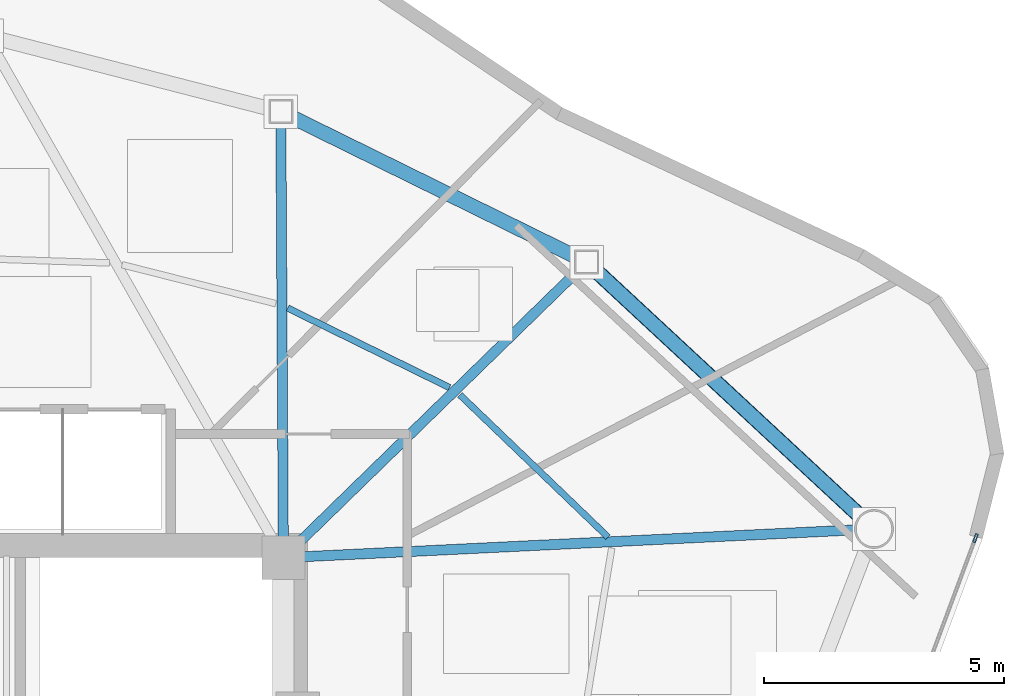
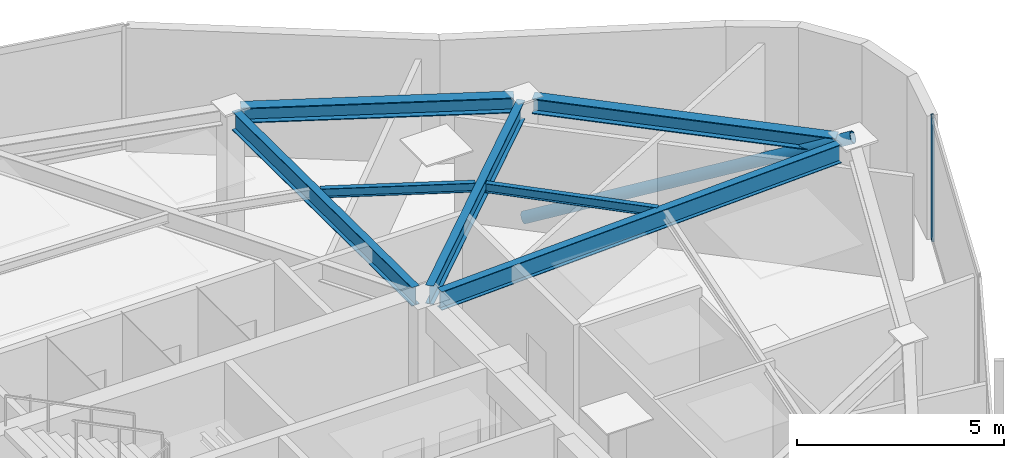
# One storey, part 6 of 13: 7 beams, 2 members, 1 element without a shape of its own.
"""IFC4 building model written with IfcOpenShell, lengths in metres."""

from ifc_helpers import new_model, si_unit, direction, frame, origin, origin_2d, place, context, subcontext, project, spatial, hollow_rectangle, hollow_circle, i_section, extrude, source, transform, mapped, material, layer, layer_set, material_profile, profile_set, type_object, type_shapes, element, aggregate, save


model = new_model("IFC4")

# Units and contexts
model_context = context("Model", 3, precision=1e-05, world=origin(), true_north=direction((0.0, 1.0)))
body_context = subcontext(model_context, "Body", "Model", "MODEL_VIEW")
ifc_project = project(units=[si_unit("LENGTHUNIT", "METRE"), si_unit("AREAUNIT", "SQUARE_METRE"), si_unit("VOLUMEUNIT", "CUBIC_METRE"), si_unit("PLANEANGLEUNIT", "RADIAN"), si_unit("MASSUNIT", "GRAM", prefix="KILO")], contexts=[model_context])

# Site, building, storey
site_placement = place(None, origin())
site = spatial("IfcSite", under=ifc_project, at=site_placement, CompositionType="ELEMENT")
building_placement = place(site_placement, origin())
building = spatial("IfcBuilding", under=site, at=building_placement, Name="Tavelor Broadcast Tower", CompositionType="ELEMENT")
storey_placement = place(building_placement, frame((0.0, 0.0, 261.64990234375)))
storey = spatial("IfcBuildingStorey", under=building, at=storey_placement, Name="L62", CompositionType="ELEMENT", Elevation=261.64990234375)

# Beams
ifc_material_1 = material(Name="Steel S355", Category="steel")
ifc_material_profile_1 = material_profile(ifc_material_1, i_section(OverallWidth=0.135009765625, OverallDepth=0.27001953125, WebThickness=0.006591796875, FlangeThickness=0.01025390625, at=origin_2d()), Name="IPE 270")
ifc_profile_set_1 = profile_set([ifc_material_profile_1], Name="Steel S355")
beam_type_1 = type_object("IfcBeamType", Name="Composite Floor Joist T6 IPE 270", PredefinedType="JOIST", material=ifc_profile_set_1)
beam_1_placement = place(storey_placement, frame((63.373779296875, 51.627197265625, 3.51513671875), z_axis=(-0.72136115861, 0.692559079682, 0.0), x_axis=(-0.692559079682, -0.72136115861, 0.0)))
element("IfcBeam", 1, at=beam_1_placement, inside=storey, type_object=beam_type_1, Name="L62 Secondary Composite Floor Joist 13", PredefinedType="JOIST", context=body_context, shape_type="SweptSolid", body=[
    extrude(i_section(OverallWidth=0.135009765625, OverallDepth=0.27001953125, WebThickness=0.006591796875, FlangeThickness=0.01025390625, at=origin_2d()), origin(), (0.0, 0.0, 1.0), 4.2890625),
])
beam_2_placement = place(storey_placement, frame((60.062744140625, 54.749755859375, 3.51513671875), z_axis=(-0.897549365046, 0.440913979485, 0.0), x_axis=(-0.440913979485, -0.897549365046, 0.0)))
element("IfcBeam", 2, at=beam_2_placement, inside=storey, type_object=beam_type_1, Name="L62 Secondary Composite Floor Joist 14", PredefinedType="JOIST", context=body_context, shape_type="SweptSolid", body=[
    extrude(i_section(OverallWidth=0.135009765625, OverallDepth=0.27001953125, WebThickness=0.006591796875, FlangeThickness=0.01025390625, at=origin_2d()), origin(), (0.0, 0.0, 1.0), 3.758056640625),
])
ifc_material_profile_2 = material_profile(ifc_material_1, i_section(OverallWidth=0.300048828125, OverallDepth=0.449951171875, WebThickness=0.013916015625, FlangeThickness=0.02587890625, at=origin_2d()), Name="HEB 450")
ifc_profile_set_2 = profile_set([ifc_material_profile_2], Name="Steel S355")
beam_type_2 = type_object("IfcBeamType", Name="Perimeter Spandrel Beam T6 HEB 450", PredefinedType="SPANDREL", material=ifc_profile_set_2)
beam_3_placement = place(storey_placement, frame((68.6337890625, 52.064697265625, 3.425048828125), z_axis=(-0.732775058348, 0.680470950051, 0.0), x_axis=(-0.680470950051, -0.732775058348, 0.0)))
element("IfcBeam", 3, at=beam_3_placement, inside=storey, type_object=beam_type_2, Name="L62 Framed-Tube Ring Spandrel 13", PredefinedType="SPANDREL", context=body_context, shape_type="SweptSolid", body=[
    extrude(i_section(OverallWidth=0.300048828125, OverallDepth=0.449951171875, WebThickness=0.013916015625, FlangeThickness=0.02587890625, at=origin_2d()), origin(), (0.0, 0.0, 1.0), 7.547607421875),
])
beam_4_placement = place(storey_placement, frame((62.7119140625, 57.469970703125, 3.425048828125), z_axis=(-0.897258179133, 0.441506240022, 0.0), x_axis=(-0.441506240022, -0.897258179134, 0.0)))
element("IfcBeam", 4, at=beam_4_placement, inside=storey, type_object=beam_type_2, Name="L62 Framed-Tube Ring Spandrel 14", PredefinedType="SPANDREL", context=body_context, shape_type="SweptSolid", body=[
    extrude(i_section(OverallWidth=0.300048828125, OverallDepth=0.449951171875, WebThickness=0.013916015625, FlangeThickness=0.02587890625, at=origin_2d()), origin(), (0.0, 0.0, 1.0), 6.63232421875),
])

# Member
ifc_material_profile_3 = material_profile(ifc_material_1, hollow_circle(Radius=0.161865234375, WallThickness=0.01611328125, at=origin_2d()), Name="CHS 323.9x16")
ifc_profile_set_3 = profile_set([ifc_material_profile_3], Name="Steel S355")
member_type_1 = type_object("IfcMemberType", Name="Perimeter Tube Brace T6 CHS 323.9x16", PredefinedType="BRACE", material=ifc_profile_set_3)
member_1_placement = place(storey_placement, frame((62.92724609375, 57.364013671875, 0.0), z_axis=(0.669132570724, -0.621397751765, 0.407586109794), x_axis=(0.680486595916, 0.732760528944, 0.0)))
element("IfcMember", 5, at=member_1_placement, inside=storey, type_object=member_type_1, Name="L62 Corner Tube Diagonal Brace 3", PredefinedType="BRACE", context=body_context, shape_type="SweptSolid", body=[
    extrude(hollow_circle(Radius=0.161865234375, WallThickness=0.01611328125, at=origin_2d()), origin(), (0.0, 0.0, 1.0), 8.95556640625),
])

# Beams
ifc_material_profile_4 = material_profile(ifc_material_1, i_section(OverallWidth=0.2099609375, OverallDepth=0.550048828125, WebThickness=0.010986328125, FlangeThickness=0.01708984375, at=origin_2d()), Name="IPE 550")
ifc_profile_set_4 = profile_set([ifc_material_profile_4], Name="Steel S355")
beam_type_3 = type_object("IfcBeamType", Name="Radial Floor Girder T6 IPE 550", PredefinedType="BEAM", material=ifc_profile_set_4)
beam_5_placement = place(storey_placement, frame((57.031494140625, 51.220947265625, 3.375), z_axis=(0.998819991205, 0.048565678915, 0.0), x_axis=(-0.048565678915, 0.998819991205, 0.0)))
element("IfcBeam", 6, at=beam_5_placement, inside=storey, type_object=beam_type_3, Name="L62 Radial Primary Floor Girder 13", PredefinedType="BEAM", context=body_context, shape_type="SweptSolid", body=[
    extrude(i_section(OverallWidth=0.2099609375, OverallDepth=0.550048828125, WebThickness=0.010986328125, FlangeThickness=0.01708984375, at=origin_2d()), origin(), (0.0, 0.0, 1.0), 11.511962890625),
])
beam_6_placement = place(storey_placement, frame((56.909423828125, 51.50146484375, 3.375), z_axis=(0.716304728622, 0.697787600745, 0.0), x_axis=(-0.697787600745, 0.716304728622, 0.0)))
element("IfcBeam", 7, at=beam_6_placement, inside=storey, type_object=beam_type_3, Name="L62 Radial Primary Floor Girder 14", PredefinedType="BEAM", context=body_context, shape_type="SweptSolid", body=[
    extrude(i_section(OverallWidth=0.2099609375, OverallDepth=0.550048828125, WebThickness=0.010986328125, FlangeThickness=0.01708984375, at=origin_2d()), origin(), (0.0, 0.0, 1.0), 8.161376953125),
])
beam_7_placement = place(storey_placement, frame((56.597412109375, 51.632080078125, 3.375), z_axis=(-0.005826187281, 0.999983027627, 0.0), x_axis=(-0.999983027627, -0.005826187281, 0.0)))
element("IfcBeam", 8, at=beam_7_placement, inside=storey, type_object=beam_type_3, Name="L62 Radial Primary Floor Girder 15", PredefinedType="BEAM", context=body_context, shape_type="SweptSolid", body=[
    extrude(i_section(OverallWidth=0.2099609375, OverallDepth=0.550048828125, WebThickness=0.010986328125, FlangeThickness=0.01708984375, at=origin_2d()), origin(), (0.0, 0.0, 1.0), 8.63232421875),
])

# Curtain wall, member
ifc_material_2 = material(Name="Architectural Anodized Aluminium", Category="aluminium")
ifc_layer = layer(ifc_material_2, 0.199951171875)
ifc_layer_set = layer_set([ifc_layer], Name="Architectural Anodized Aluminium")
curtain_wall_type = type_object("IfcCurtainWallType", Name="Tower High-Zone Triple-Glazed Curtain Wall CW04", PredefinedType="NOTDEFINED", material=ifc_layer_set)
curtain_wall_placement = place(storey_placement, origin())
curtain_wall = element("IfcCurtainWall", 9, at=curtain_wall_placement, inside=storey, type_object=curtain_wall_type, Name="L62 Curtain Wall CW04 Run 680", PredefinedType="NOTDEFINED")
ifc_material_profile_5 = material_profile(ifc_material_2, hollow_rectangle(XDim=0.070068359375, YDim=0.199951171875, WallThickness=0.02197265625, at=origin_2d()), Name="RHS 70x200x22")
ifc_profile_set_5 = profile_set([ifc_material_profile_5], Name="Architectural Anodized Aluminium")
member_type_2 = type_object("IfcMemberType", Name="CW04 Extruded Aluminium Mullion 70x200", PredefinedType="MULLION", material=ifc_profile_set_5)
shared_shape = source(origin(), body_context, "Body", "SweptSolid", [
    extrude(hollow_rectangle(XDim=0.070068359375, YDim=0.199951171875, WallThickness=0.02197265625, at=origin_2d()), origin(), (0.0, 0.0, 1.0), 3.650146484375),
])
type_shapes(member_type_2, [shared_shape])
member_2_placement = place(storey_placement, frame((71.035888671875, 51.6083984375, 0.0), z_axis=(0.0, 0.0, 1.0), x_axis=(-0.937135138375, 0.34896666377, 0.0)))
member_2 = element("IfcMember", 10, at=member_2_placement, type_object=member_type_2, Name="CW04 mullion 2", PredefinedType="MULLION", context=body_context, shape_type="MappedRepresentation", body=[
    mapped(shared_shape, transform((0.0, 0.0, 0.0), scale=1.0)),
])
aggregate(curtain_wall, [member_2])

save(model, "model.ifc")
